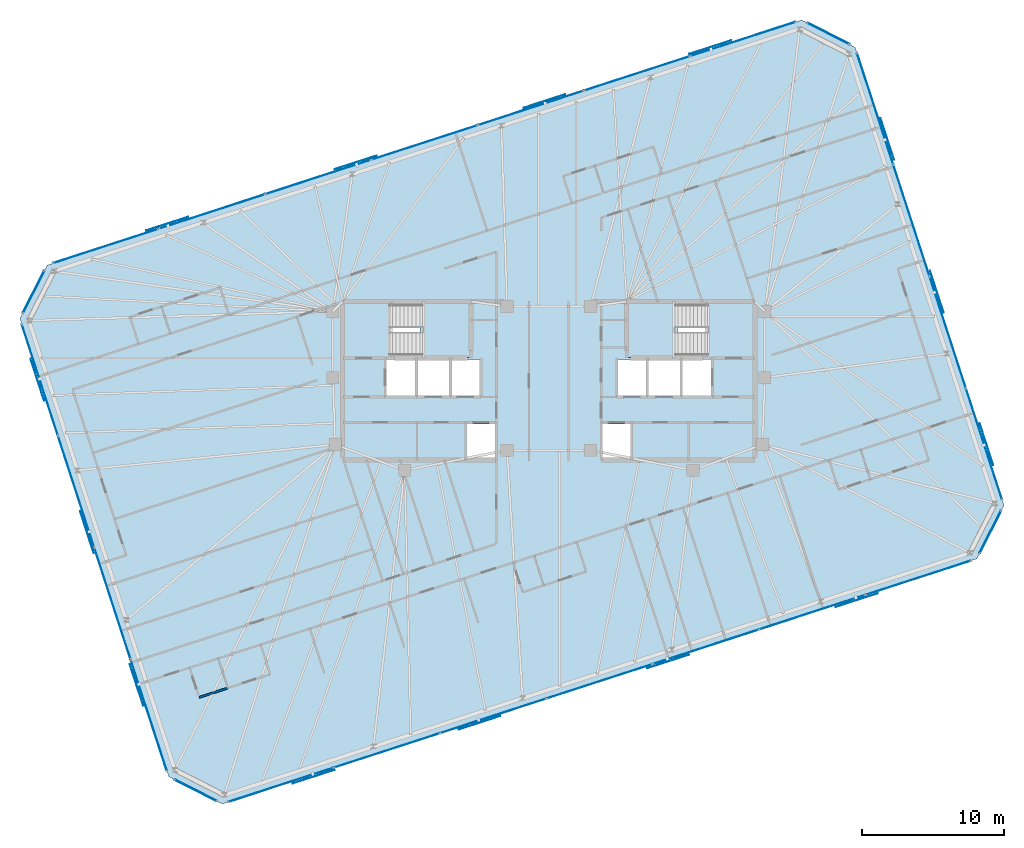
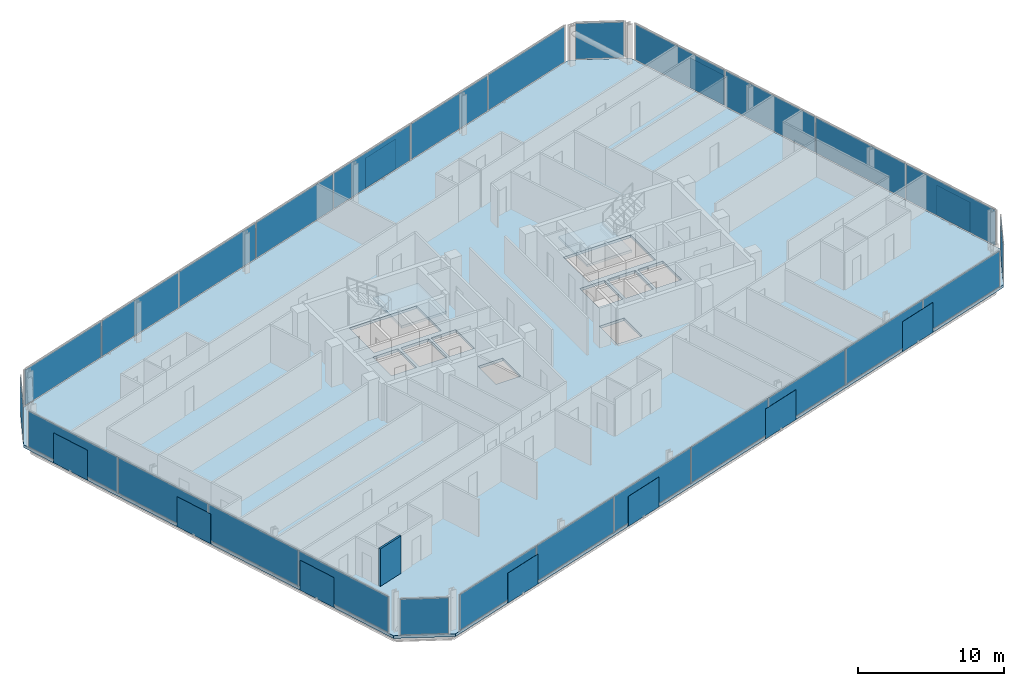
# One storey, part 12 of 19: 40 plates, 3 slabs, 1 wall, 10 elements without a shape of their own.
"""IFC4 building model written with IfcOpenShell, lengths in metres."""

from ifc_helpers import new_model, si_unit, direction, frame, frame_2d, origin, origin_2d, place, context, subcontext, project, spatial, polyline, rectangle, outline, extrude, material, layer, layer_set, type_object, element, aggregate, save


model = new_model("IFC4")

# Units and contexts
model_context = context("Model", 3, precision=1e-05, world=origin(), true_north=direction((0.0, 1.0)))
body_context = subcontext(model_context, "Body", "Model", "MODEL_VIEW")
ifc_project = project(units=[si_unit("LENGTHUNIT", "METRE"), si_unit("AREAUNIT", "SQUARE_METRE"), si_unit("VOLUMEUNIT", "CUBIC_METRE"), si_unit("PLANEANGLEUNIT", "RADIAN"), si_unit("MASSUNIT", "GRAM", prefix="KILO")], contexts=[model_context])

# Site, building, storey
site_placement = place(None, origin())
site = spatial("IfcSite", under=ifc_project, at=site_placement, CompositionType="ELEMENT")
building_placement = place(site_placement, origin())
building = spatial("IfcBuilding", under=site, at=building_placement, Name="Menara Jurai Vektor", CompositionType="ELEMENT")
storey_placement = place(building_placement, frame((0.0, 0.0, 214.25)))
storey = spatial("IfcBuildingStorey", under=building, at=storey_placement, Name="L56", CompositionType="ELEMENT", Elevation=214.25)

# Curtain wall, plates
ifc_material_1 = material(Name="Anodised Pale Aluminium & Low-E Double Glazing", Category="aluminium")
curtain_wall_type = type_object("IfcCurtainWallType", Name="CW-BLK4", PredefinedType="NOTDEFINED", material=ifc_material_1)
curtain_wall_1_placement = place(storey_placement, origin())
curtain_wall_1 = element("IfcCurtainWall", 1, at=curtain_wall_1_placement, inside=storey, type_object=curtain_wall_type, Name="Unitised Curtain Wall L56 F01", PredefinedType="NOTDEFINED")
ifc_material_2 = material(Name="Low-E Solar-Control Double Glazed Unit", Category="glass")
ifc_layer_1 = layer(ifc_material_2, 0.030029296875)
ifc_layer_set_1 = layer_set([ifc_layer_1], Name="Low-E Solar-Control Double Glazed Unit")
plate_type_1 = type_object("IfcPlateType", Name="CW-BLK4-PNL", PredefinedType="CURTAIN_PANEL", material=ifc_layer_set_1)
plate_1_placement = place(storey_placement, frame((-18.916259765625, -28.53076171875, 0.080078125), z_axis=(0.0, 0.0, 1.0), x_axis=(0.951056402641, 0.309017344167, 0.0)))
plate_1 = element("IfcPlate", 2, at=plate_1_placement, type_object=plate_type_1, Name="CW-04 panel 1.1", PredefinedType="CURTAIN_PANEL", context=body_context, shape_type="SweptSolid", body=[
    extrude(rectangle(XDim=7.771484375, YDim=0.030029296875, at=origin_2d()), origin(), (0.0, 0.0, 1.0), 2.965087890625),
])
plate_2_placement = place(storey_placement, frame((-11.429931640625, -26.098388671875, 0.080078125), z_axis=(0.0, 0.0, 1.0), x_axis=(0.951056402641, 0.309017344167, 0.0)))
plate_2 = element("IfcPlate", 3, at=plate_2_placement, type_object=plate_type_1, Name="CW-04 panel 2.1", PredefinedType="CURTAIN_PANEL", context=body_context, shape_type="SweptSolid", body=[
    extrude(rectangle(XDim=7.8115234375, YDim=0.030029296875, at=origin_2d()), origin(), (0.0, 0.0, 1.0), 2.965087890625),
])
plate_3_placement = place(storey_placement, frame((-3.9248046875, -23.65966796875, 0.080078125), z_axis=(0.0, 0.0, 1.0), x_axis=(0.951056402641, 0.309017344167, 0.0)))
plate_3 = element("IfcPlate", 4, at=plate_3_placement, type_object=plate_type_1, Name="CW-04 panel 3.1", PredefinedType="CURTAIN_PANEL", context=body_context, shape_type="SweptSolid", body=[
    extrude(rectangle(XDim=7.8115234375, YDim=0.030029296875, at=origin_2d()), origin(), (0.0, 0.0, 1.0), 2.965087890625),
])
plate_4_placement = place(storey_placement, frame((3.580322265625, -21.22119140625, 0.080078125), z_axis=(0.0, 0.0, 1.0), x_axis=(0.951056402641, 0.309017344167, 0.0)))
plate_4 = element("IfcPlate", 5, at=plate_4_placement, type_object=plate_type_1, Name="CW-04 panel 4.1", PredefinedType="CURTAIN_PANEL", context=body_context, shape_type="SweptSolid", body=[
    extrude(rectangle(XDim=7.8115234375, YDim=0.030029296875, at=origin_2d()), origin(), (0.0, 0.0, 1.0), 2.965087890625),
])
plate_5_placement = place(storey_placement, frame((11.08544921875, -18.782470703125, 0.080078125), z_axis=(0.0, 0.0, 1.0), x_axis=(0.951056402641, 0.309017344167, 0.0)))
plate_5 = element("IfcPlate", 6, at=plate_5_placement, type_object=plate_type_1, Name="CW-04 panel 5.1", PredefinedType="CURTAIN_PANEL", context=body_context, shape_type="SweptSolid", body=[
    extrude(rectangle(XDim=7.8115234375, YDim=0.030029296875, at=origin_2d()), origin(), (0.0, 0.0, 1.0), 2.965087890625),
])
plate_6_placement = place(storey_placement, frame((18.5908203125, -16.343994140625, 0.080078125), z_axis=(0.0, 0.0, 1.0), x_axis=(0.951056402641, 0.309017344167, 0.0)))
plate_6 = element("IfcPlate", 7, at=plate_6_placement, type_object=plate_type_1, Name="CW-04 panel 6.1", PredefinedType="CURTAIN_PANEL", context=body_context, shape_type="SweptSolid", body=[
    extrude(rectangle(XDim=7.8115234375, YDim=0.030029296875, at=origin_2d()), origin(), (0.0, 0.0, 1.0), 2.965087890625),
])
plate_7_placement = place(storey_placement, frame((26.076904296875, -13.91162109375, 0.080078125), z_axis=(0.0, 0.0, 1.0), x_axis=(0.951056402641, 0.309017344167, 0.0)))
plate_7 = element("IfcPlate", 8, at=plate_7_placement, type_object=plate_type_1, Name="CW-04 panel 7.1", PredefinedType="CURTAIN_PANEL", context=body_context, shape_type="SweptSolid", body=[
    extrude(rectangle(XDim=7.771484375, YDim=0.030029296875, at=origin_2d()), origin(), (0.0, 0.0, 1.0), 2.965087890625),
])
aggregate(curtain_wall_1, [plate_1, plate_2, plate_3, plate_4, plate_5, plate_6, plate_7])

curtain_wall_2_placement = place(storey_placement, origin())
curtain_wall_2 = element("IfcCurtainWall", 9, at=curtain_wall_2_placement, inside=storey, type_object=curtain_wall_type, Name="Unitised Curtain Wall L56 F03", PredefinedType="NOTDEFINED")
plate_8_placement = place(storey_placement, frame((30.728515625, -4.456298828125, 0.080078125), z_axis=(0.0, 0.0, 1.0), x_axis=(-0.309016481464, 0.95105668295, 0.0)))
plate_8 = element("IfcPlate", 10, at=plate_8_placement, type_object=plate_type_1, Name="CW-04 panel 1.1", PredefinedType="CURTAIN_PANEL", context=body_context, shape_type="SweptSolid", body=[
    extrude(rectangle(XDim=8.18994140625, YDim=0.030029296875, at=origin_2d()), origin(), (0.0, 0.0, 1.0), 2.965087890625),
])
plate_9_placement = place(storey_placement, frame((28.166748046875, 3.427978515625, 0.080078125), z_axis=(0.0, 0.0, 1.0), x_axis=(-0.309016481464, 0.95105668295, 0.0)))
plate_9 = element("IfcPlate", 11, at=plate_9_placement, type_object=plate_type_1, Name="CW-04 panel 2.1", PredefinedType="CURTAIN_PANEL", context=body_context, shape_type="SweptSolid", body=[
    extrude(rectangle(XDim=8.22998046875, YDim=0.030029296875, at=origin_2d()), origin(), (0.0, 0.0, 1.0), 2.965087890625),
])
plate_10_placement = place(storey_placement, frame((25.598876953125, 11.331298828125, 0.080078125), z_axis=(0.0, 0.0, 1.0), x_axis=(-0.309016481464, 0.95105668295, 0.0)))
plate_10 = element("IfcPlate", 12, at=plate_10_placement, type_object=plate_type_1, Name="CW-04 panel 3.1", PredefinedType="CURTAIN_PANEL", context=body_context, shape_type="SweptSolid", body=[
    extrude(rectangle(XDim=8.22998046875, YDim=0.030029296875, at=origin_2d()), origin(), (0.0, 0.0, 1.0), 2.965087890625),
])
plate_11_placement = place(storey_placement, frame((23.037109375, 19.21533203125, 0.080078125), z_axis=(0.0, 0.0, 1.0), x_axis=(-0.309016481464, 0.95105668295, 0.0)))
plate_11 = element("IfcPlate", 13, at=plate_11_placement, type_object=plate_type_1, Name="CW-04 panel 4.1", PredefinedType="CURTAIN_PANEL", context=body_context, shape_type="SweptSolid", body=[
    extrude(rectangle(XDim=8.18994140625, YDim=0.030029296875, at=origin_2d()), origin(), (0.0, 0.0, 1.0), 2.965087890625),
])
aggregate(curtain_wall_2, [plate_8, plate_9, plate_10, plate_11])

curtain_wall_3_placement = place(storey_placement, origin())
curtain_wall_3 = element("IfcCurtainWall", 14, at=curtain_wall_3_placement, inside=storey, type_object=curtain_wall_type, Name="Unitised Curtain Wall L56 F05", PredefinedType="NOTDEFINED")
plate_12_placement = place(storey_placement, frame((13.716064453125, 24.130615234375, 0.080078125), z_axis=(0.0, 0.0, 1.0), x_axis=(-0.951056402641, -0.309017344167, 0.0)))
plate_12 = element("IfcPlate", 15, at=plate_12_placement, type_object=plate_type_1, Name="CW-04 panel 1.1", PredefinedType="CURTAIN_PANEL", context=body_context, shape_type="SweptSolid", body=[
    extrude(rectangle(XDim=7.771484375, YDim=0.030029296875, at=origin_2d()), origin(), (0.0, 0.0, 1.0), 2.965087890625),
])
plate_13_placement = place(storey_placement, frame((6.22998046875, 21.6982421875, 0.080078125), z_axis=(0.0, 0.0, 1.0), x_axis=(-0.951056402641, -0.309017344167, 0.0)))
plate_13 = element("IfcPlate", 16, at=plate_13_placement, type_object=plate_type_1, Name="CW-04 panel 2.1", PredefinedType="CURTAIN_PANEL", context=body_context, shape_type="SweptSolid", body=[
    extrude(rectangle(XDim=7.8115234375, YDim=0.030029296875, at=origin_2d()), origin(), (0.0, 0.0, 1.0), 2.965087890625),
])
plate_14_placement = place(storey_placement, frame((-1.275146484375, 19.259765625, 0.080078125), z_axis=(0.0, 0.0, 1.0), x_axis=(-0.951056402641, -0.309017344167, 0.0)))
plate_14 = element("IfcPlate", 17, at=plate_14_placement, type_object=plate_type_1, Name="CW-04 panel 3.1", PredefinedType="CURTAIN_PANEL", context=body_context, shape_type="SweptSolid", body=[
    extrude(rectangle(XDim=7.8115234375, YDim=0.030029296875, at=origin_2d()), origin(), (0.0, 0.0, 1.0), 2.965087890625),
])
plate_15_placement = place(storey_placement, frame((-8.7802734375, 16.821044921875, 0.080078125), z_axis=(0.0, 0.0, 1.0), x_axis=(-0.951056402641, -0.309017344167, 0.0)))
plate_15 = element("IfcPlate", 18, at=plate_15_placement, type_object=plate_type_1, Name="CW-04 panel 4.1", PredefinedType="CURTAIN_PANEL", context=body_context, shape_type="SweptSolid", body=[
    extrude(rectangle(XDim=7.8115234375, YDim=0.030029296875, at=origin_2d()), origin(), (0.0, 0.0, 1.0), 2.965087890625),
])
plate_16_placement = place(storey_placement, frame((-16.28564453125, 14.382568359375, 0.080078125), z_axis=(0.0, 0.0, 1.0), x_axis=(-0.951056402641, -0.309017344167, 0.0)))
plate_16 = element("IfcPlate", 19, at=plate_16_placement, type_object=plate_type_1, Name="CW-04 panel 5.1", PredefinedType="CURTAIN_PANEL", context=body_context, shape_type="SweptSolid", body=[
    extrude(rectangle(XDim=7.8115234375, YDim=0.030029296875, at=origin_2d()), origin(), (0.0, 0.0, 1.0), 2.965087890625),
])
plate_17_placement = place(storey_placement, frame((-23.790771484375, 11.944091796875, 0.080078125), z_axis=(0.0, 0.0, 1.0), x_axis=(-0.951056402641, -0.309017344167, 0.0)))
plate_17 = element("IfcPlate", 20, at=plate_17_placement, type_object=plate_type_1, Name="CW-04 panel 6.1", PredefinedType="CURTAIN_PANEL", context=body_context, shape_type="SweptSolid", body=[
    extrude(rectangle(XDim=7.8115234375, YDim=0.030029296875, at=origin_2d()), origin(), (0.0, 0.0, 1.0), 2.965087890625),
])
plate_18_placement = place(storey_placement, frame((-31.27685546875, 9.511474609375, 0.080078125), z_axis=(0.0, 0.0, 1.0), x_axis=(-0.951056402641, -0.309017344167, 0.0)))
plate_18 = element("IfcPlate", 21, at=plate_18_placement, type_object=plate_type_1, Name="CW-04 panel 7.1", PredefinedType="CURTAIN_PANEL", context=body_context, shape_type="SweptSolid", body=[
    extrude(rectangle(XDim=7.771484375, YDim=0.030029296875, at=origin_2d()), origin(), (0.0, 0.0, 1.0), 2.965087890625),
])
aggregate(curtain_wall_3, [plate_12, plate_13, plate_14, plate_15, plate_16, plate_17, plate_18])

curtain_wall_4_placement = place(storey_placement, origin())
curtain_wall_4 = element("IfcCurtainWall", 22, at=curtain_wall_4_placement, inside=storey, type_object=curtain_wall_type, Name="Unitised Curtain Wall L56 F07", PredefinedType="NOTDEFINED")
plate_19_placement = place(storey_placement, frame((-35.928466796875, 0.056396484375, 0.080078125), z_axis=(0.0, 0.0, 1.0), x_axis=(0.309016481464, -0.95105668295, 0.0)))
plate_19 = element("IfcPlate", 23, at=plate_19_placement, type_object=plate_type_1, Name="CW-04 panel 1.1", PredefinedType="CURTAIN_PANEL", context=body_context, shape_type="SweptSolid", body=[
    extrude(rectangle(XDim=8.18994140625, YDim=0.030029296875, at=origin_2d()), origin(), (0.0, 0.0, 1.0), 2.965087890625),
])
plate_20_placement = place(storey_placement, frame((-33.36669921875, -7.827880859375, 0.080078125), z_axis=(0.0, 0.0, 1.0), x_axis=(0.309016481464, -0.95105668295, 0.0)))
plate_20 = element("IfcPlate", 24, at=plate_20_placement, type_object=plate_type_1, Name="CW-04 panel 2.1", PredefinedType="CURTAIN_PANEL", context=body_context, shape_type="SweptSolid", body=[
    extrude(rectangle(XDim=8.22998046875, YDim=0.030029296875, at=origin_2d()), origin(), (0.0, 0.0, 1.0), 2.965087890625),
])
plate_21_placement = place(storey_placement, frame((-30.798828125, -15.731201171875, 0.080078125), z_axis=(0.0, 0.0, 1.0), x_axis=(0.309016481464, -0.95105668295, 0.0)))
plate_21 = element("IfcPlate", 25, at=plate_21_placement, type_object=plate_type_1, Name="CW-04 panel 3.1", PredefinedType="CURTAIN_PANEL", context=body_context, shape_type="SweptSolid", body=[
    extrude(rectangle(XDim=8.22998046875, YDim=0.030029296875, at=origin_2d()), origin(), (0.0, 0.0, 1.0), 2.965087890625),
])
plate_22_placement = place(storey_placement, frame((-28.237060546875, -23.615478515625, 0.080078125), z_axis=(0.0, 0.0, 1.0), x_axis=(0.309016481464, -0.95105668295, 0.0)))
plate_22 = element("IfcPlate", 26, at=plate_22_placement, type_object=plate_type_1, Name="CW-04 panel 4.1", PredefinedType="CURTAIN_PANEL", context=body_context, shape_type="SweptSolid", body=[
    extrude(rectangle(XDim=8.18994140625, YDim=0.030029296875, at=origin_2d()), origin(), (0.0, 0.0, 1.0), 2.965087890625),
])
aggregate(curtain_wall_4, [plate_19, plate_20, plate_21, plate_22])

# Curtain wall, plate
curtain_wall_5_placement = place(storey_placement, origin())
curtain_wall_5 = element("IfcCurtainWall", 27, at=curtain_wall_5_placement, inside=storey, type_object=curtain_wall_type, Name="Unitised Curtain Wall L56 F02", PredefinedType="NOTDEFINED")
ifc_material_3 = material(Name="Insulated Pale Aluminium Spandrel Panel", Category="aluminium")
ifc_layer_2 = layer(ifc_material_3, 0.06005859375)
ifc_layer_set_2 = layer_set([ifc_layer_2], Name="Insulated Pale Aluminium Spandrel Panel")
plate_type_2 = type_object("IfcPlateType", Name="CW-PNL-SP", PredefinedType="CURTAIN_PANEL", material=ifc_layer_set_2)
plate_23_placement = place(storey_placement, frame((31.1728515625, -10.678466796875, 0.080078125), z_axis=(0.0, 0.0, 1.0), x_axis=(0.453988579828, 0.89100750243, 0.0)))
plate_23 = element("IfcPlate", 28, at=plate_23_placement, type_object=plate_type_2, Name="CW-04 panel 1.1", PredefinedType="CURTAIN_PANEL", context=body_context, shape_type="SweptSolid", body=[
    extrude(rectangle(XDim=3.32275390625, YDim=0.06005859375, at=origin_2d()), origin(), (0.0, 0.0, 1.0), 2.965087890625),
])
aggregate(curtain_wall_5, [plate_23])

curtain_wall_6_placement = place(storey_placement, origin())
curtain_wall_6 = element("IfcCurtainWall", 29, at=curtain_wall_6_placement, inside=storey, type_object=curtain_wall_type, Name="Unitised Curtain Wall L56 F04", PredefinedType="NOTDEFINED")
plate_24_placement = place(storey_placement, frame((19.7392578125, 24.510498046875, 0.080078125), z_axis=(0.0, 0.0, 1.0), x_axis=(-0.89100750243, 0.453988579828, 0.0)))
plate_24 = element("IfcPlate", 30, at=plate_24_placement, type_object=plate_type_2, Name="CW-04 panel 1.1", PredefinedType="CURTAIN_PANEL", context=body_context, shape_type="SweptSolid", body=[
    extrude(rectangle(XDim=3.32275390625, YDim=0.06005859375, at=origin_2d()), origin(), (0.0, 0.0, 1.0), 2.965087890625),
])
aggregate(curtain_wall_6, [plate_24])

curtain_wall_7_placement = place(storey_placement, origin())
curtain_wall_7 = element("IfcCurtainWall", 31, at=curtain_wall_7_placement, inside=storey, type_object=curtain_wall_type, Name="Unitised Curtain Wall L56 F06", PredefinedType="NOTDEFINED")
plate_25_placement = place(storey_placement, frame((-36.373046875, 6.278564453125, 0.080078125), z_axis=(0.0, 0.0, 1.0), x_axis=(-0.453988579828, -0.89100750243, 0.0)))
plate_25 = element("IfcPlate", 32, at=plate_25_placement, type_object=plate_type_2, Name="CW-04 panel 1.1", PredefinedType="CURTAIN_PANEL", context=body_context, shape_type="SweptSolid", body=[
    extrude(rectangle(XDim=3.32275390625, YDim=0.06005859375, at=origin_2d()), origin(), (0.0, 0.0, 1.0), 2.965087890625),
])
aggregate(curtain_wall_7, [plate_25])

curtain_wall_8_placement = place(storey_placement, origin())
curtain_wall_8 = element("IfcCurtainWall", 33, at=curtain_wall_8_placement, inside=storey, type_object=curtain_wall_type, Name="Unitised Curtain Wall L56 F08", PredefinedType="NOTDEFINED")
plate_26_placement = place(storey_placement, frame((-24.939453125, -28.91064453125, 0.080078125), z_axis=(0.0, 0.0, 1.0), x_axis=(0.89100750243, -0.453988579828, 0.0)))
plate_26 = element("IfcPlate", 34, at=plate_26_placement, type_object=plate_type_2, Name="CW-04 panel 1.1", PredefinedType="CURTAIN_PANEL", context=body_context, shape_type="SweptSolid", body=[
    extrude(rectangle(XDim=3.32275390625, YDim=0.06005859375, at=origin_2d()), origin(), (0.0, 0.0, 1.0), 2.965087890625),
])
aggregate(curtain_wall_8, [plate_26])

# Plates
ifc_material_4 = material(Name="Anodised Pale Aluminium Perforated Screen", Category="aluminium")
ifc_layer_3 = layer(ifc_material_4, 0.02197265625)
ifc_layer_set_3 = layer_set([ifc_layer_3], Name="Anodised Pale Aluminium Perforated Screen")
plate_type_3 = type_object("IfcPlateType", Name="ENV-PLT-SCREEN-HI", PredefinedType="USERDEFINED", material=ifc_layer_set_3)
for number, where, z_axis, x_axis, name in (
    (35, (-16.608642578125, -27.94921875, -0.050048828125), (0.0, 0.0, 1.0), (0.951056516295, 0.309016994375, 0.0), "Perforated Pale-Metal Solar Screen L56-S01"),
    (36, (-4.8916015625, -24.14208984375, -0.050048828125), (0.0, 0.0, 1.0), (0.951056516295, 0.309016994375, 0.0), "Perforated Pale-Metal Solar Screen L56-S02"),
    (37, (8.423095703125, -19.81591796875, -0.050048828125), (0.0, 0.0, 1.0), (0.951056516295, 0.309016994375, 0.0), "Perforated Pale-Metal Solar Screen L56-S03"),
    (38, (21.73779296875, -15.48974609375, -0.050048828125), (0.0, 0.0, 1.0), (0.951056516295, 0.309016994375, 0.0), "Perforated Pale-Metal Solar Screen L56-S04"),
    (39, (30.90478515625, -4.4814453125, -0.050048828125), (0.0, 0.0, 1.0), (-0.309016994375, 0.951056516295, 0.0), "Perforated Pale-Metal Solar Screen L56-S05"),
    (40, (27.402587890625, 6.297119140625, -0.050048828125), (0.0, 0.0, 1.0), (-0.309016994375, 0.951056516295, 0.0), "Perforated Pale-Metal Solar Screen L56-S06"),
    (41, (23.900390625, 17.075927734375, -0.050048828125), (0.0, 0.0, 1.0), (-0.309016994375, 0.951056516295, 0.0), "Perforated Pale-Metal Solar Screen L56-S07"),
    (42, (11.40869140625, 23.54931640625, -0.050048828125), (0.0, 0.0, 1.0), (-0.951056516295, -0.309016994375, 0.0), "Perforated Pale-Metal Solar Screen L56-S08"),
    (43, (-0.308349609375, 19.7421875, -0.050048828125), (0.0, 0.0, 1.0), (-0.951056516295, -0.309016994375, 0.0), "Perforated Pale-Metal Solar Screen L56-S09"),
    (44, (-13.623046875, 15.416015625, -0.050048828125), (0.0, 0.0, 1.0), (-0.951056516295, -0.309016994375, 0.0), "Perforated Pale-Metal Solar Screen L56-S10"),
    (45, (-26.93798828125, 11.089599609375, -0.050048828125), (0.0, 0.0, 1.0), (-0.951056516295, -0.309016994375, 0.0), "Perforated Pale-Metal Solar Screen L56-S11"),
    (46, (-36.104736328125, 0.081298828125, -0.050048828125), (0.0, 0.0, 1.0), (0.309016994375, -0.951056516295, 0.0), "Perforated Pale-Metal Solar Screen L56-S12"),
    (47, (-32.6025390625, -10.697265625, -0.050048828125), (0.0, 0.0, 1.0), (0.309016994375, -0.951056516295, 0.0), "Perforated Pale-Metal Solar Screen L56-S13"),
    (48, (-29.1005859375, -21.475830078125, -0.050048828125), (0.0, 0.0, 1.0), (0.309016994375, -0.951056516295, 0.0), "Perforated Pale-Metal Solar Screen L56-S14"),
):
    element("IfcPlate", number, at=place(storey_placement, frame(where, z_axis=z_axis, x_axis=x_axis)), inside=storey, type_object=plate_type_3, Name=name, ObjectType="SCREEN", PredefinedType="USERDEFINED", context=body_context, shape_type="SweptSolid", body=[
        extrude(rectangle(XDim=3.10009765625, YDim=0.02197265625, at=origin_2d()), origin(), (0.0, 0.0, 1.0), 2.5),
    ])

# Stair, slab
ifc_material_5 = material(Name="Concrete C40/50", Category="concrete")
stair_type = type_object("IfcStairType", Name="STAIR-DOGLEG-1500", PredefinedType="HALF_TURN_STAIR", material=ifc_material_5)
stair_1_placement = place(storey_placement, origin())
stair_1 = element("IfcStair", 49, at=stair_1_placement, inside=storey, type_object=stair_type, Name="Protected Exit Stair ST1 L56", PredefinedType="HALF_TURN_STAIR")
ifc_layer_4 = layer(ifc_material_5, 0.199951171875)
ifc_layer_set_4 = layer_set([ifc_layer_4], Name="Concrete C40/50")
slab_type_1 = type_object("IfcSlabType", Name="STAIR-LANDING-200", PredefinedType="LANDING", material=ifc_layer_set_4)
slab_1_placement = place(storey_placement, frame((0.0, 0.0, 1.47509765625)))
slab_1 = element("IfcSlab", 50, at=slab_1_placement, type_object=slab_type_1, Name="ST1 landing 1", PredefinedType="LANDING", context=body_context, shape_type="SweptSolid", body=[
    extrude(outline(polyline([(-9.080078125, 1.64990234375), (-5.550048828125, 1.64990234375), (-5.550048828125, 5.550048828125), (-9.080078125, 5.550048828125), (-9.080078125, 1.64990234375)])), origin(), (0.0, 0.0, 1.0), 0.199951171875),
])
aggregate(stair_1, [slab_1])

stair_2_placement = place(storey_placement, origin())
stair_2 = element("IfcStair", 51, at=stair_2_placement, inside=storey, type_object=stair_type, Name="Protected Exit Stair ST2 L56", PredefinedType="HALF_TURN_STAIR")
slab_2_placement = place(storey_placement, frame((0.0, 0.0, 1.47509765625)))
slab_2 = element("IfcSlab", 52, at=slab_2_placement, type_object=slab_type_1, Name="ST2 landing 1", PredefinedType="LANDING", context=body_context, shape_type="SweptSolid", body=[
    extrude(outline(polyline([(5.550048828125, 1.64990234375), (9.080078125, 1.64990234375), (9.080078125, 5.550048828125), (5.550048828125, 5.550048828125), (5.550048828125, 1.64990234375)])), origin(), (0.0, 0.0, 1.0), 0.199951171875),
])
aggregate(stair_2, [slab_2])

# Slab
ifc_layer_5 = layer(ifc_material_5, 0.22509765625)
ifc_layer_set_5 = layer_set([ifc_layer_5], Name="Concrete C40/50")
slab_type_2 = type_object("IfcSlabType", Name="STR-SLAB-TYP200", PredefinedType="FLOOR", material=ifc_layer_set_5)
slab_3_placement = place(storey_placement, frame((0.0, 0.0, -0.22509765625)))
element("IfcSlab", 53, at=slab_3_placement, inside=storey, type_object=slab_type_2, Name="Composite Floor Slab L56", PredefinedType="FLOOR", context=body_context, shape_type="SweptSolid", body=[
    extrude(outline(polyline([(-23.04931640625, -29.87353515625), (30.2099609375, -12.568603515625), (32.135986328125, -8.788330078125), (21.62939453125, 23.547607421875), (17.84912109375, 25.4736328125), (-35.409912109375, 8.168701171875), (-37.3359375, 4.388427734375), (-26.82958984375, -27.947509765625), (-23.04931640625, -29.87353515625)]), holes=[polyline([(-11.10009765625, 1.89990234375), (-11.10009765625, 5.300048828125), (-5.800048828125, 5.300048828125), (-5.800048828125, 1.89990234375), (-11.10009765625, 1.89990234375)]), polyline([(5.800048828125, 1.89990234375), (5.800048828125, 5.300048828125), (11.10009765625, 5.300048828125), (11.10009765625, 1.89990234375), (5.800048828125, 1.89990234375)]), polyline([(-11.449951171875, -1.050048828125), (-11.449951171875, 1.5), (-9.449951171875, 1.5), (-9.449951171875, -1.050048828125), (-11.449951171875, -1.050048828125)]), polyline([(9.449951171875, -1.050048828125), (9.449951171875, 1.5), (11.449951171875, 1.5), (11.449951171875, -1.050048828125), (9.449951171875, -1.050048828125)]), polyline([(-5.760009765625, -5.5), (-5.760009765625, -3.050048828125), (-3.800048828125, -3.050048828125), (-3.800048828125, -5.5), (-5.760009765625, -5.5)]), polyline([(-6.85009765625, -1.050048828125), (-6.85009765625, 1.5), (-4.889892578125, 1.5), (-4.889892578125, -1.050048828125), (-6.85009765625, -1.050048828125)]), polyline([(3.800048828125, -5.5), (3.800048828125, -3.050048828125), (5.760009765625, -3.050048828125), (5.760009765625, -5.5), (3.800048828125, -5.5)]), polyline([(4.889892578125, -1.050048828125), (4.889892578125, 1.5), (6.85009765625, 1.5), (6.85009765625, -1.050048828125), (4.889892578125, -1.050048828125)]), polyline([(-9.25, -1.050048828125), (-9.25, 1.5), (-7.050048828125, 1.5), (-7.050048828125, -1.050048828125), (-9.25, -1.050048828125)]), polyline([(7.050048828125, -1.050048828125), (7.050048828125, 1.5), (9.25, 1.5), (9.25, -1.050048828125), (7.050048828125, -1.050048828125)])]), origin(), (0.0, 0.0, 1.0), 0.22509765625),
])

# Wall
ifc_material_6 = material(Name="Gypsum Fireboard Partition", Category="gypsum")
ifc_layer_6 = layer(ifc_material_6, 0.14990234375)
ifc_layer_set_6 = layer_set([ifc_layer_6], Name="Gypsum Fireboard Partition")
wall_type = type_object("IfcWallType", Name="INT-WALL-CORR-150", PredefinedType="PARTITIONING", material=ifc_layer_set_6)
wall_placement = place(storey_placement, frame((-24.6845703125, -22.3486328125, 0.0), z_axis=(0.0, 0.0, 1.0), x_axis=(0.951056007502, 0.309018560274, 0.0)))
element("IfcWall", 54, at=wall_placement, inside=storey, type_object=wall_type, Name="Interior Wall IW-150 L56", PredefinedType="PARTITIONING", context=body_context, shape_type="SweptSolid", body=[
    extrude(rectangle(XDim=2.1259765625, YDim=0.14990234375, at=frame_2d((1.06298828125, 0.0))), origin(), (0.0, 0.0, 1.0), 3.125),
])

save(model, "model.ifc")
